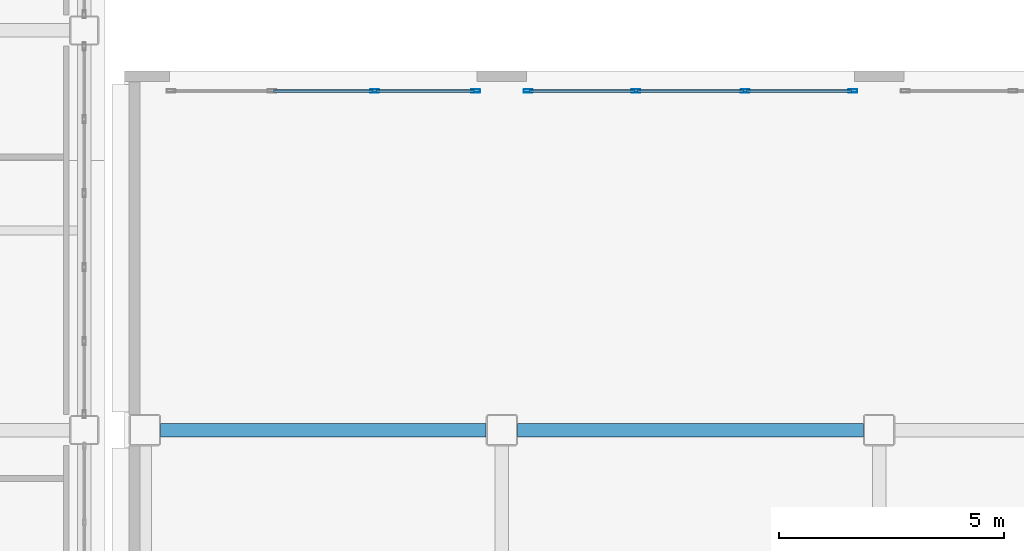
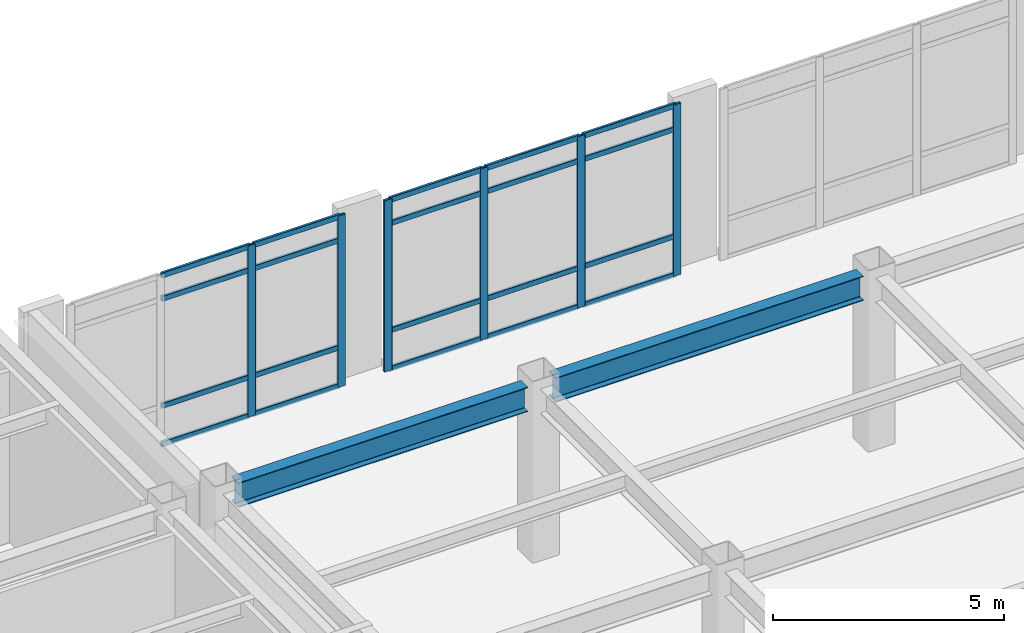
# One storey, part 59 of 172: 26 members, 2 beams, 2 elements without a shape of their own.
"""IFC4 building model written with IfcOpenShell, lengths in metres."""

import ifcopenshell
import ifcopenshell.guid

model = None  # the IFC model being written
_history = None  # IfcOwnerHistory: only IFC2X3 demands one
_inside = {}  # id of a spatial element -> (the spatial element, [elements in it])
_under = {}  # id of a project, library or spatial element -> (it, [spatial elements below it])
_declared = {}  # id of a project -> (the project, [libraries it declares])
_typed = {}  # id of a type object -> (the type object, [elements of that type])
_made_of = {}  # id of a material, layer set ... -> (it, [elements and type objects made of it])


def new_model(schema):
    """Start an empty IFC model of exactly this schema.

    Asked for "IFC4X3", IfcOpenShell would pick the latest addendum, in which some entities
    have other attributes; the version numbers below select the first issue.
    IFC2X3 requires an IfcOwnerHistory on every rooted entity: one is made here for all.
    """
    global model, _history
    if schema == "IFC4X3":
        model = ifcopenshell.file(schema_version=(4, 3, 0, 0))
    else:
        model = ifcopenshell.file(schema=schema)
    _inside.clear()
    _under.clear()
    _declared.clear()
    _typed.clear()
    _made_of.clear()
    _history = None
    if model.schema == "IFC2X3":
        org = make("IfcOrganization", Name="unknown")
        user = make(
            "IfcPersonAndOrganization",
            ThePerson=make("IfcPerson", FamilyName="unknown"),
            TheOrganization=org,
        )
        app = make(
            "IfcApplication",
            ApplicationDeveloper=org,
            Version="unknown",
            ApplicationFullName="unknown",
            ApplicationIdentifier="unknown",
        )
        _history = make(
            "IfcOwnerHistory",
            OwningUser=user,
            OwningApplication=app,
            ChangeAction="ADDED",
            CreationDate=0,
        )
    return model


def make(cls, **values):
    """One entity of the class cls with the attributes given. An attribute that is None is left unset."""
    return model.create_entity(
        cls, **{name: value for name, value in values.items() if value is not None}
    )


def rooted(cls, **values):
    """An entity with a GlobalId (a new one), such as an element, a storey or a relation."""
    return make(cls, GlobalId=ifcopenshell.guid.new(), OwnerHistory=_history, **values)


def si_unit(unit_type, name, prefix=None):
    """IfcSIUnit, for example si_unit("LENGTHUNIT", "METRE", prefix="MILLI")."""
    return make("IfcSIUnit", UnitType=unit_type, Prefix=prefix, Name=name)


def assignment(units):
    """IfcUnitAssignment: the units of a project."""
    return None if units is None else make("IfcUnitAssignment", Units=units)


def point(xyz):
    """IfcCartesianPoint."""
    return None if xyz is None else make("IfcCartesianPoint", Coordinates=xyz)


def direction(xyz):
    """IfcDirection."""
    return None if xyz is None else make("IfcDirection", DirectionRatios=xyz)


def frame(location, z_axis=None, x_axis=None):
    """IfcAxis2Placement3D, a coordinate frame: its origin and axes. An axis left out is left unset."""
    return make(
        "IfcAxis2Placement3D",
        Location=point(location),
        Axis=direction(z_axis),
        RefDirection=direction(x_axis),
    )


def frame_2d(location, x_axis=None):
    """IfcAxis2Placement2D, a coordinate frame in the plane: its origin and x axis."""
    return make(
        "IfcAxis2Placement2D", Location=point(location), RefDirection=direction(x_axis)
    )


def origin():
    """The frame at (0, 0, 0) with its axes left unset."""
    return frame((0.0, 0.0, 0.0))


def origin_2d():
    """The frame at (0, 0) in the plane with its x axis left unset."""
    return frame_2d((0.0, 0.0))


def place(relative_to, where):
    """IfcLocalPlacement: puts the frame where relative to a parent placement (None: the world)."""
    return make(
        "IfcLocalPlacement", PlacementRelTo=relative_to, RelativePlacement=where
    )


def context(
    kind, dimensions, precision=None, world=None, true_north=None, identifier=None
):
    """IfcGeometricRepresentationContext, for example the 3D "Model" context."""
    return make(
        "IfcGeometricRepresentationContext",
        ContextIdentifier=identifier,
        ContextType=kind,
        CoordinateSpaceDimension=dimensions,
        Precision=precision,
        WorldCoordinateSystem=world,
        TrueNorth=true_north,
    )


def subcontext(parent, identifier, kind, view, scale=None):
    """IfcGeometricRepresentationSubContext, for example "Body" below "Model"."""
    return make(
        "IfcGeometricRepresentationSubContext",
        ContextIdentifier=identifier,
        ContextType=kind,
        ParentContext=parent,
        TargetScale=scale,
        TargetView=view,
    )


def project(units=None, contexts=None):
    """IfcProject with its units and contexts."""
    return rooted(
        "IfcProject",
        Name="project",
        RepresentationContexts=contexts,
        UnitsInContext=assignment(units),
    )


def spatial(cls, under=None, at=None, **own):
    """A site, building, storey or space (cls), placed at a placement, below another one or the project."""
    s = rooted(cls, ObjectPlacement=at, **own)
    if under is not None:
        _under.setdefault(under.id(), (under, []))[1].append(s)
    return s


def profile(cls, at=None, kind="AREA", **sizes):
    """A parametric profile (cls). Its sizes go by their IFC names, for example OverallWidth=200.0."""
    return make(cls, ProfileType=kind, Position=at, **sizes)


def hollow_rectangle(**sizes):
    """IfcRectangleHollowProfileDef."""
    return profile("IfcRectangleHollowProfileDef", **sizes)


def i_section(**sizes):
    """IfcIShapeProfileDef."""
    return profile("IfcIShapeProfileDef", **sizes)


def extrude(swept, where, along, depth):
    """IfcExtrudedAreaSolid: the profile swept, set in the frame where, extruded along a direction by depth."""
    return make(
        "IfcExtrudedAreaSolid",
        SweptArea=swept,
        Position=where,
        ExtrudedDirection=direction(along),
        Depth=depth,
    )


def shape(context_of_items, identifier, shape_type, items):
    """IfcShapeRepresentation: the items that make up one representation, for example the "Body"."""
    return make(
        "IfcShapeRepresentation",
        ContextOfItems=context_of_items,
        RepresentationIdentifier=identifier,
        RepresentationType=shape_type,
        Items=items,
    )


def material(Name=None, Category=None):
    """IfcMaterial."""
    return make("IfcMaterial", Name=Name, Category=Category)


def layer(
    of_material, thickness, ventilated=None, Name=None, Category=None, Priority=None
):
    """IfcMaterialLayer: one layer of a wall or slab, of a material (None: an air gap)."""
    return make(
        "IfcMaterialLayer",
        Material=of_material,
        LayerThickness=thickness,
        IsVentilated=ventilated,
        Name=Name,
        Category=Category,
        Priority=Priority,
    )


def layer_set(layers, Name=None):
    """IfcMaterialLayerSet."""
    return make("IfcMaterialLayerSet", MaterialLayers=layers, LayerSetName=Name)


def material_profile(
    of_material, cross_section, Name=None, Category=None, Priority=None
):
    """IfcMaterialProfile: a cross section and its material."""
    return make(
        "IfcMaterialProfile",
        Name=Name,
        Material=of_material,
        Profile=cross_section,
        Priority=Priority,
        Category=Category,
    )


def profile_set(profiles, Name=None, composite=None):
    """IfcMaterialProfileSet."""
    return make(
        "IfcMaterialProfileSet",
        Name=Name,
        MaterialProfiles=profiles,
        CompositeProfile=composite,
    )


def made_of(thing, what):
    """Note that an element or type object is made of a material, layer set ...; save() writes the relation."""
    if what is not None:
        _made_of.setdefault(what.id(), (what, []))[1].append(thing)
    return thing


def type_object(cls, material=None, **own):
    """A type object (cls), such as IfcWallType, which elements share."""
    return made_of(rooted(cls, **own), material)


def element(
    cls,
    number,
    at=None,
    inside=None,
    cuts=None,
    type_object=None,
    material=None,
    context=None,
    identifier="Body",
    shape_type=None,
    held_by="IfcProductDefinitionShape",
    body=None,
    shapes=None,
    **own,
):
    """One element of the class cls, such as IfcWall. Its Tag is "e" and its number.

    at: its placement. inside: the storey or other place that contains it. cuts: it is an
    opening in that element (IfcRelVoidsElement). A single representation is given by context,
    identifier, shape_type and body (its items); several are given by shapes. held_by: the class
    of the entity that holds the representations. save() writes the other relations.
    """
    e = rooted(cls, Tag="e%d" % number, ObjectPlacement=at, **own)
    if body is not None:
        shapes = [shape(context, identifier, shape_type, body)]
    if shapes is not None:
        e.Representation = make(held_by, Representations=shapes)
    if inside is not None:
        _inside.setdefault(inside.id(), (inside, []))[1].append(e)
    if cuts is not None:
        rooted(
            "IfcRelVoidsElement", RelatingBuildingElement=cuts, RelatedOpeningElement=e
        )
    if type_object is not None:
        _typed.setdefault(type_object.id(), (type_object, []))[1].append(e)
    return made_of(e, material)


def aggregate(whole, parts):
    """IfcRelAggregates: a whole, such as a stair, and the parts it consists of."""
    return rooted("IfcRelAggregates", RelatingObject=whole, RelatedObjects=parts)


def save(model, path):
    """Write the relations noted so far, then the file.

    IfcRelAggregates (storeys below a building ...), IfcRelContainedInSpatialStructure (elements
    in a storey), IfcRelDefinesByType, IfcRelAssociatesMaterial and IfcRelDeclares: one each for
    every whole, place, type object, material and project.
    """
    for whole, parts in _under.values():
        aggregate(whole, parts)
    for where, things in _inside.values():
        rooted(
            "IfcRelContainedInSpatialStructure",
            RelatedElements=things,
            RelatingStructure=where,
        )
    for kind, things in _typed.values():
        rooted("IfcRelDefinesByType", RelatedObjects=things, RelatingType=kind)
    for what, things in _made_of.values():
        rooted("IfcRelAssociatesMaterial", RelatedObjects=things, RelatingMaterial=what)
    for by, libraries in _declared.values():
        rooted("IfcRelDeclares", RelatingContext=by, RelatedDefinitions=libraries)
    model.write(path)


model = new_model("IFC4")

# Units and contexts
model_context = context("Model", 3, precision=1e-05, world=origin(), true_north=direction((0.0, 1.0)))
body_context = subcontext(model_context, "Body", "Model", "MODEL_VIEW")
ifc_project = project(units=[si_unit("LENGTHUNIT", "METRE"), si_unit("AREAUNIT", "SQUARE_METRE"), si_unit("VOLUMEUNIT", "CUBIC_METRE"), si_unit("PLANEANGLEUNIT", "RADIAN"), si_unit("MASSUNIT", "GRAM", prefix="KILO")], contexts=[model_context])

# Site, building, storey
site_placement = place(None, origin())
site = spatial("IfcSite", under=ifc_project, at=site_placement, CompositionType="ELEMENT")
building_placement = place(site_placement, origin())
building = spatial("IfcBuilding", under=site, at=building_placement, Name="Kazehara Bluff Congress Hotel", CompositionType="ELEMENT")
storey_placement = place(building_placement, frame((0.0, 0.0, 5.39990234375)))
storey = spatial("IfcBuildingStorey", under=building, at=storey_placement, Name="L01", CompositionType="ELEMENT", Elevation=5.39990234375)

# Curtain wall, members
ifc_material_1 = material(Name="Anodised aluminium", Category="aluminium")
ifc_layer_1 = layer(ifc_material_1, 0.159912109375)
ifc_layer_set_1 = layer_set([ifc_layer_1], Name="Anodised aluminium")
curtain_wall_type_1 = type_object("IfcCurtainWallType", Name="TP-CW-82", PredefinedType="NOTDEFINED", material=ifc_layer_set_1)
curtain_wall_1_placement = place(storey_placement, origin())
curtain_wall_1 = element("IfcCurtainWall", 1, at=curtain_wall_1_placement, inside=storey, type_object=curtain_wall_type_1, Name="L01 curtain wall CW-82 CW-V5-L01-Y3955-11110", PredefinedType="NOTDEFINED")
ifc_material_2 = material(Name="Anodised aluminium", Category="aluminium")
ifc_material_profile_1 = material_profile(ifc_material_2, hollow_rectangle(XDim=0.070068359375, YDim=0.199951171875, WallThickness=0.0048828125, InnerFilletRadius=0.0048828125, OuterFilletRadius=0.010009765625, at=origin_2d()))
ifc_profile_set_1 = profile_set([ifc_material_profile_1], Name="Anodised aluminium")
member_type_1 = type_object("IfcMemberType", Name="TP-CWM-03", PredefinedType="MULLION", material=ifc_profile_set_1)
member_1_placement = place(storey_placement, frame((115.666748046875, 39.550048828125, 0.0), z_axis=(0.0, 0.0, 1.0), x_axis=(0.0, 1.0, 0.0)))
member_1 = element("IfcMember", 2, at=member_1_placement, type_object=member_type_1, Name="CW-82 mullion 3", PredefinedType="MULLION", context=body_context, shape_type="SweptSolid", body=[
    extrude(hollow_rectangle(XDim=0.070068359375, YDim=0.199951171875, WallThickness=0.0048828125, InnerFilletRadius=0.0048828125, OuterFilletRadius=0.010009765625, at=origin_2d()), origin(), (0.0, 0.0, 1.0), 4.53515625),
])
member_2_placement = place(storey_placement, frame((117.9150390625, 39.550048828125, 0.0), z_axis=(0.0, 0.0, 1.0), x_axis=(0.0, 1.0, 0.0)))
member_2 = element("IfcMember", 3, at=member_2_placement, type_object=member_type_1, Name="CW-82 mullion 4", PredefinedType="MULLION", context=body_context, shape_type="SweptSolid", body=[
    extrude(hollow_rectangle(XDim=0.070068359375, YDim=0.199951171875, WallThickness=0.0048828125, InnerFilletRadius=0.0048828125, OuterFilletRadius=0.010009765625, at=origin_2d()), origin(), (0.0, 0.0, 1.0), 4.53515625),
])

ifc_material_3 = material(Name="Anodised aluminium", Category="aluminium")
ifc_layer_2 = layer(ifc_material_3, 0.159912109375)
ifc_layer_set_2 = layer_set([ifc_layer_2], Name="Anodised aluminium")
curtain_wall_type_2 = type_object("IfcCurtainWallType", Name="TP-CW-48", PredefinedType="NOTDEFINED", material=ifc_layer_set_2)
curtain_wall_2_placement = place(storey_placement, origin())
curtain_wall_2 = element("IfcCurtainWall", 4, at=curtain_wall_2_placement, inside=storey, type_object=curtain_wall_type_2, Name="L01 curtain wall CW-48 CW-V5-L01-Y3955-11905", PredefinedType="NOTDEFINED")
member_3_placement = place(storey_placement, frame((119.0849609375, 39.550048828125, 0.0), z_axis=(0.0, 0.0, 1.0), x_axis=(0.0, 1.0, 0.0)))
member_3 = element("IfcMember", 5, at=member_3_placement, type_object=member_type_1, Name="CW-48 mullion 1", PredefinedType="MULLION", context=body_context, shape_type="SweptSolid", body=[
    extrude(hollow_rectangle(XDim=0.070068359375, YDim=0.199951171875, WallThickness=0.0048828125, InnerFilletRadius=0.0048828125, OuterFilletRadius=0.010009765625, at=origin_2d()), origin(), (0.0, 0.0, 1.0), 4.53515625),
])
member_4_placement = place(storey_placement, frame((121.4833984375, 39.550048828125, 0.0), z_axis=(0.0, 0.0, 1.0), x_axis=(0.0, 1.0, 0.0)))
member_4 = element("IfcMember", 6, at=member_4_placement, type_object=member_type_1, Name="CW-48 mullion 2", PredefinedType="MULLION", context=body_context, shape_type="SweptSolid", body=[
    extrude(hollow_rectangle(XDim=0.070068359375, YDim=0.199951171875, WallThickness=0.0048828125, InnerFilletRadius=0.0048828125, OuterFilletRadius=0.010009765625, at=origin_2d()), origin(), (0.0, 0.0, 1.0), 4.53515625),
])
member_5_placement = place(storey_placement, frame((123.916748046875, 39.550048828125, 0.0), z_axis=(0.0, 0.0, 1.0), x_axis=(0.0, 1.0, 0.0)))
member_5 = element("IfcMember", 7, at=member_5_placement, type_object=member_type_1, Name="CW-48 mullion 3", PredefinedType="MULLION", context=body_context, shape_type="SweptSolid", body=[
    extrude(hollow_rectangle(XDim=0.070068359375, YDim=0.199951171875, WallThickness=0.0048828125, InnerFilletRadius=0.0048828125, OuterFilletRadius=0.010009765625, at=origin_2d()), origin(), (0.0, 0.0, 1.0), 4.53515625),
])
member_6_placement = place(storey_placement, frame((126.31494140625, 39.550048828125, 0.0), z_axis=(0.0, 0.0, 1.0), x_axis=(0.0, 1.0, 0.0)))
member_6 = element("IfcMember", 8, at=member_6_placement, type_object=member_type_1, Name="CW-48 mullion 4", PredefinedType="MULLION", context=body_context, shape_type="SweptSolid", body=[
    extrude(hollow_rectangle(XDim=0.070068359375, YDim=0.199951171875, WallThickness=0.0048828125, InnerFilletRadius=0.0048828125, OuterFilletRadius=0.010009765625, at=origin_2d()), origin(), (0.0, 0.0, 1.0), 4.53515625),
])

# Member
ifc_material_4 = material(Name="Anodised aluminium", Category="aluminium")
ifc_material_profile_2 = material_profile(ifc_material_4, hollow_rectangle(XDim=0.06494140625, YDim=0.139892578125, WallThickness=0.00390625, InnerFilletRadius=0.00390625, OuterFilletRadius=0.008056640625, at=origin_2d()))
ifc_profile_set_2 = profile_set([ifc_material_profile_2], Name="Anodised aluminium")
member_type_2 = type_object("IfcMemberType", Name="TP-CWT-02", PredefinedType="USERDEFINED", material=ifc_profile_set_2)
member_7_placement = place(storey_placement, frame((113.418212890625, 39.550048828125, 0.03271484375), z_axis=(1.0, 0.0, 0.0), x_axis=(0.0, 1.0, 0.0)))
member_7 = element("IfcMember", 9, at=member_7_placement, type_object=member_type_2, Name="CW-82 transom 2.1", ObjectType="TRANSOM", PredefinedType="USERDEFINED", context=body_context, shape_type="SweptSolid", body=[
    extrude(hollow_rectangle(XDim=0.06494140625, YDim=0.139892578125, WallThickness=0.00390625, InnerFilletRadius=0.00390625, OuterFilletRadius=0.008056640625, at=origin_2d()), origin(), (0.0, 0.0, 1.0), 2.21337890625),
])

member_8_placement = place(storey_placement, frame((113.418212890625, 39.550048828125, 1.050048828125), z_axis=(1.0, 0.0, 0.0), x_axis=(0.0, 1.0, 0.0)))
member_8 = element("IfcMember", 10, at=member_8_placement, type_object=member_type_2, Name="CW-82 transom 2.2", ObjectType="TRANSOM", PredefinedType="USERDEFINED", context=body_context, shape_type="SweptSolid", body=[
    extrude(hollow_rectangle(XDim=0.06494140625, YDim=0.139892578125, WallThickness=0.00390625, InnerFilletRadius=0.00390625, OuterFilletRadius=0.008056640625, at=origin_2d()), origin(), (0.0, 0.0, 1.0), 2.21337890625),
])

member_9_placement = place(storey_placement, frame((113.418212890625, 39.550048828125, 3.885009765625), z_axis=(1.0, 0.0, 0.0), x_axis=(0.0, 1.0, 0.0)))
member_9 = element("IfcMember", 11, at=member_9_placement, type_object=member_type_2, Name="CW-82 transom 2.3", ObjectType="TRANSOM", PredefinedType="USERDEFINED", context=body_context, shape_type="SweptSolid", body=[
    extrude(hollow_rectangle(XDim=0.06494140625, YDim=0.139892578125, WallThickness=0.00390625, InnerFilletRadius=0.00390625, OuterFilletRadius=0.008056640625, at=origin_2d()), origin(), (0.0, 0.0, 1.0), 2.21337890625),
])

member_10_placement = place(storey_placement, frame((113.418212890625, 39.550048828125, 4.502685546875), z_axis=(1.0, 0.0, 0.0), x_axis=(0.0, 1.0, 0.0)))
member_10 = element("IfcMember", 12, at=member_10_placement, type_object=member_type_2, Name="CW-82 transom 2.4", ObjectType="TRANSOM", PredefinedType="USERDEFINED", context=body_context, shape_type="SweptSolid", body=[
    extrude(hollow_rectangle(XDim=0.06494140625, YDim=0.139892578125, WallThickness=0.00390625, InnerFilletRadius=0.00390625, OuterFilletRadius=0.008056640625, at=origin_2d()), origin(), (0.0, 0.0, 1.0), 2.21337890625),
])

member_11_placement = place(storey_placement, frame((115.70166015625, 39.550048828125, 0.03271484375), z_axis=(1.0, 0.0, 0.0), x_axis=(0.0, 1.0, 0.0)))
member_11 = element("IfcMember", 13, at=member_11_placement, type_object=member_type_2, Name="CW-82 transom 3.1", ObjectType="TRANSOM", PredefinedType="USERDEFINED", context=body_context, shape_type="SweptSolid", body=[
    extrude(hollow_rectangle(XDim=0.06494140625, YDim=0.139892578125, WallThickness=0.00390625, InnerFilletRadius=0.00390625, OuterFilletRadius=0.008056640625, at=origin_2d()), origin(), (0.0, 0.0, 1.0), 2.17822265625),
])

member_12_placement = place(storey_placement, frame((115.70166015625, 39.550048828125, 1.050048828125), z_axis=(1.0, 0.0, 0.0), x_axis=(0.0, 1.0, 0.0)))
member_12 = element("IfcMember", 14, at=member_12_placement, type_object=member_type_2, Name="CW-82 transom 3.2", ObjectType="TRANSOM", PredefinedType="USERDEFINED", context=body_context, shape_type="SweptSolid", body=[
    extrude(hollow_rectangle(XDim=0.06494140625, YDim=0.139892578125, WallThickness=0.00390625, InnerFilletRadius=0.00390625, OuterFilletRadius=0.008056640625, at=origin_2d()), origin(), (0.0, 0.0, 1.0), 2.17822265625),
])

member_13_placement = place(storey_placement, frame((115.70166015625, 39.550048828125, 3.885009765625), z_axis=(1.0, 0.0, 0.0), x_axis=(0.0, 1.0, 0.0)))
member_13 = element("IfcMember", 15, at=member_13_placement, type_object=member_type_2, Name="CW-82 transom 3.3", ObjectType="TRANSOM", PredefinedType="USERDEFINED", context=body_context, shape_type="SweptSolid", body=[
    extrude(hollow_rectangle(XDim=0.06494140625, YDim=0.139892578125, WallThickness=0.00390625, InnerFilletRadius=0.00390625, OuterFilletRadius=0.008056640625, at=origin_2d()), origin(), (0.0, 0.0, 1.0), 2.17822265625),
])

member_14_placement = place(storey_placement, frame((115.70166015625, 39.550048828125, 4.502685546875), z_axis=(1.0, 0.0, 0.0), x_axis=(0.0, 1.0, 0.0)))
member_14 = element("IfcMember", 16, at=member_14_placement, type_object=member_type_2, Name="CW-82 transom 3.4", ObjectType="TRANSOM", PredefinedType="USERDEFINED", context=body_context, shape_type="SweptSolid", body=[
    extrude(hollow_rectangle(XDim=0.06494140625, YDim=0.139892578125, WallThickness=0.00390625, InnerFilletRadius=0.00390625, OuterFilletRadius=0.008056640625, at=origin_2d()), origin(), (0.0, 0.0, 1.0), 2.17822265625),
])

aggregate(curtain_wall_1, [member_1, member_2, member_7, member_8, member_9, member_10, member_11, member_12, member_13, member_14])

member_15_placement = place(storey_placement, frame((119.1201171875, 39.550048828125, 0.03271484375), z_axis=(1.0, 0.0, 0.0), x_axis=(0.0, 1.0, 0.0)))
member_15 = element("IfcMember", 17, at=member_15_placement, type_object=member_type_2, Name="CW-48 transom 1.1", ObjectType="TRANSOM", PredefinedType="USERDEFINED", context=body_context, shape_type="SweptSolid", body=[
    extrude(hollow_rectangle(XDim=0.06494140625, YDim=0.139892578125, WallThickness=0.00390625, InnerFilletRadius=0.00390625, OuterFilletRadius=0.008056640625, at=origin_2d()), origin(), (0.0, 0.0, 1.0), 2.328125),
])

member_16_placement = place(storey_placement, frame((119.1201171875, 39.550048828125, 1.050048828125), z_axis=(1.0, 0.0, 0.0), x_axis=(0.0, 1.0, 0.0)))
member_16 = element("IfcMember", 18, at=member_16_placement, type_object=member_type_2, Name="CW-48 transom 1.2", ObjectType="TRANSOM", PredefinedType="USERDEFINED", context=body_context, shape_type="SweptSolid", body=[
    extrude(hollow_rectangle(XDim=0.06494140625, YDim=0.139892578125, WallThickness=0.00390625, InnerFilletRadius=0.00390625, OuterFilletRadius=0.008056640625, at=origin_2d()), origin(), (0.0, 0.0, 1.0), 2.328125),
])

member_17_placement = place(storey_placement, frame((119.1201171875, 39.550048828125, 3.885009765625), z_axis=(1.0, 0.0, 0.0), x_axis=(0.0, 1.0, 0.0)))
member_17 = element("IfcMember", 19, at=member_17_placement, type_object=member_type_2, Name="CW-48 transom 1.3", ObjectType="TRANSOM", PredefinedType="USERDEFINED", context=body_context, shape_type="SweptSolid", body=[
    extrude(hollow_rectangle(XDim=0.06494140625, YDim=0.139892578125, WallThickness=0.00390625, InnerFilletRadius=0.00390625, OuterFilletRadius=0.008056640625, at=origin_2d()), origin(), (0.0, 0.0, 1.0), 2.328125),
])

member_18_placement = place(storey_placement, frame((119.1201171875, 39.550048828125, 4.502685546875), z_axis=(1.0, 0.0, 0.0), x_axis=(0.0, 1.0, 0.0)))
member_18 = element("IfcMember", 20, at=member_18_placement, type_object=member_type_2, Name="CW-48 transom 1.4", ObjectType="TRANSOM", PredefinedType="USERDEFINED", context=body_context, shape_type="SweptSolid", body=[
    extrude(hollow_rectangle(XDim=0.06494140625, YDim=0.139892578125, WallThickness=0.00390625, InnerFilletRadius=0.00390625, OuterFilletRadius=0.008056640625, at=origin_2d()), origin(), (0.0, 0.0, 1.0), 2.328125),
])

member_19_placement = place(storey_placement, frame((121.518310546875, 39.550048828125, 0.03271484375), z_axis=(1.0, 0.0, 0.0), x_axis=(0.0, 1.0, 0.0)))
member_19 = element("IfcMember", 21, at=member_19_placement, type_object=member_type_2, Name="CW-48 transom 2.1", ObjectType="TRANSOM", PredefinedType="USERDEFINED", context=body_context, shape_type="SweptSolid", body=[
    extrude(hollow_rectangle(XDim=0.06494140625, YDim=0.139892578125, WallThickness=0.00390625, InnerFilletRadius=0.00390625, OuterFilletRadius=0.008056640625, at=origin_2d()), origin(), (0.0, 0.0, 1.0), 2.36328125),
])

member_20_placement = place(storey_placement, frame((121.518310546875, 39.550048828125, 1.050048828125), z_axis=(1.0, 0.0, 0.0), x_axis=(0.0, 1.0, 0.0)))
member_20 = element("IfcMember", 22, at=member_20_placement, type_object=member_type_2, Name="CW-48 transom 2.2", ObjectType="TRANSOM", PredefinedType="USERDEFINED", context=body_context, shape_type="SweptSolid", body=[
    extrude(hollow_rectangle(XDim=0.06494140625, YDim=0.139892578125, WallThickness=0.00390625, InnerFilletRadius=0.00390625, OuterFilletRadius=0.008056640625, at=origin_2d()), origin(), (0.0, 0.0, 1.0), 2.36328125),
])

member_21_placement = place(storey_placement, frame((121.518310546875, 39.550048828125, 3.885009765625), z_axis=(1.0, 0.0, 0.0), x_axis=(0.0, 1.0, 0.0)))
member_21 = element("IfcMember", 23, at=member_21_placement, type_object=member_type_2, Name="CW-48 transom 2.3", ObjectType="TRANSOM", PredefinedType="USERDEFINED", context=body_context, shape_type="SweptSolid", body=[
    extrude(hollow_rectangle(XDim=0.06494140625, YDim=0.139892578125, WallThickness=0.00390625, InnerFilletRadius=0.00390625, OuterFilletRadius=0.008056640625, at=origin_2d()), origin(), (0.0, 0.0, 1.0), 2.36328125),
])

member_22_placement = place(storey_placement, frame((121.518310546875, 39.550048828125, 4.502685546875), z_axis=(1.0, 0.0, 0.0), x_axis=(0.0, 1.0, 0.0)))
member_22 = element("IfcMember", 24, at=member_22_placement, type_object=member_type_2, Name="CW-48 transom 2.4", ObjectType="TRANSOM", PredefinedType="USERDEFINED", context=body_context, shape_type="SweptSolid", body=[
    extrude(hollow_rectangle(XDim=0.06494140625, YDim=0.139892578125, WallThickness=0.00390625, InnerFilletRadius=0.00390625, OuterFilletRadius=0.008056640625, at=origin_2d()), origin(), (0.0, 0.0, 1.0), 2.36328125),
])

member_23_placement = place(storey_placement, frame((123.95166015625, 39.550048828125, 0.03271484375), z_axis=(1.0, 0.0, 0.0), x_axis=(0.0, 1.0, 0.0)))
member_23 = element("IfcMember", 25, at=member_23_placement, type_object=member_type_2, Name="CW-48 transom 3.1", ObjectType="TRANSOM", PredefinedType="USERDEFINED", context=body_context, shape_type="SweptSolid", body=[
    extrude(hollow_rectangle(XDim=0.06494140625, YDim=0.139892578125, WallThickness=0.00390625, InnerFilletRadius=0.00390625, OuterFilletRadius=0.008056640625, at=origin_2d()), origin(), (0.0, 0.0, 1.0), 2.328369140625),
])

member_24_placement = place(storey_placement, frame((123.95166015625, 39.550048828125, 1.050048828125), z_axis=(1.0, 0.0, 0.0), x_axis=(0.0, 1.0, 0.0)))
member_24 = element("IfcMember", 26, at=member_24_placement, type_object=member_type_2, Name="CW-48 transom 3.2", ObjectType="TRANSOM", PredefinedType="USERDEFINED", context=body_context, shape_type="SweptSolid", body=[
    extrude(hollow_rectangle(XDim=0.06494140625, YDim=0.139892578125, WallThickness=0.00390625, InnerFilletRadius=0.00390625, OuterFilletRadius=0.008056640625, at=origin_2d()), origin(), (0.0, 0.0, 1.0), 2.328369140625),
])

member_25_placement = place(storey_placement, frame((123.95166015625, 39.550048828125, 3.885009765625), z_axis=(1.0, 0.0, 0.0), x_axis=(0.0, 1.0, 0.0)))
member_25 = element("IfcMember", 27, at=member_25_placement, type_object=member_type_2, Name="CW-48 transom 3.3", ObjectType="TRANSOM", PredefinedType="USERDEFINED", context=body_context, shape_type="SweptSolid", body=[
    extrude(hollow_rectangle(XDim=0.06494140625, YDim=0.139892578125, WallThickness=0.00390625, InnerFilletRadius=0.00390625, OuterFilletRadius=0.008056640625, at=origin_2d()), origin(), (0.0, 0.0, 1.0), 2.328369140625),
])

member_26_placement = place(storey_placement, frame((123.95166015625, 39.550048828125, 4.502685546875), z_axis=(1.0, 0.0, 0.0), x_axis=(0.0, 1.0, 0.0)))
member_26 = element("IfcMember", 28, at=member_26_placement, type_object=member_type_2, Name="CW-48 transom 3.4", ObjectType="TRANSOM", PredefinedType="USERDEFINED", context=body_context, shape_type="SweptSolid", body=[
    extrude(hollow_rectangle(XDim=0.06494140625, YDim=0.139892578125, WallThickness=0.00390625, InnerFilletRadius=0.00390625, OuterFilletRadius=0.008056640625, at=origin_2d()), origin(), (0.0, 0.0, 1.0), 2.328369140625),
])

aggregate(curtain_wall_2, [member_3, member_4, member_5, member_6, member_15, member_16, member_17, member_18, member_19, member_20, member_21, member_22, member_23, member_24, member_25, member_26])

# Beams
ifc_material_5 = material(Name="Steel SN490B", Category="steel")
ifc_material_profile_3 = material_profile(ifc_material_5, i_section(OverallWidth=0.300048828125, OverallDepth=0.64990234375, WebThickness=0.011962890625, FlangeThickness=0.02001953125, FilletRadius=0.012939453125, at=origin_2d()))
ifc_profile_set_3 = profile_set([ifc_material_profile_3], Name="Steel SN490B")
beam_type = type_object("IfcBeamType", Name="TP-G-03", PredefinedType="BEAM", material=ifc_profile_set_3)
beam_1_placement = place(storey_placement, frame((110.89990234375, 32.0, 4.22509765625), z_axis=(1.0, 0.0, 0.0), x_axis=(0.0, 1.0, 0.0)))
element("IfcBeam", 29, at=beam_1_placement, inside=storey, type_object=beam_type, Name="L01 girder G-03 290", PredefinedType="BEAM", context=body_context, shape_type="SweptSolid", body=[
    extrude(i_section(OverallWidth=0.300048828125, OverallDepth=0.64990234375, WebThickness=0.011962890625, FlangeThickness=0.02001953125, FilletRadius=0.012939453125, at=origin_2d()), origin(), (0.0, 0.0, 1.0), 7.25),
])
beam_2_placement = place(storey_placement, frame((118.85009765625, 32.0, 4.22509765625), z_axis=(1.0, 0.0, 0.0), x_axis=(0.0, 1.0, 0.0)))
element("IfcBeam", 30, at=beam_2_placement, inside=storey, type_object=beam_type, Name="L01 girder G-03 291", PredefinedType="BEAM", context=body_context, shape_type="SweptSolid", body=[
    extrude(i_section(OverallWidth=0.300048828125, OverallDepth=0.64990234375, WebThickness=0.011962890625, FlangeThickness=0.02001953125, FilletRadius=0.012939453125, at=origin_2d()), origin(), (0.0, 0.0, 1.0), 7.699951171875),
])

save(model, "model.ifc")
